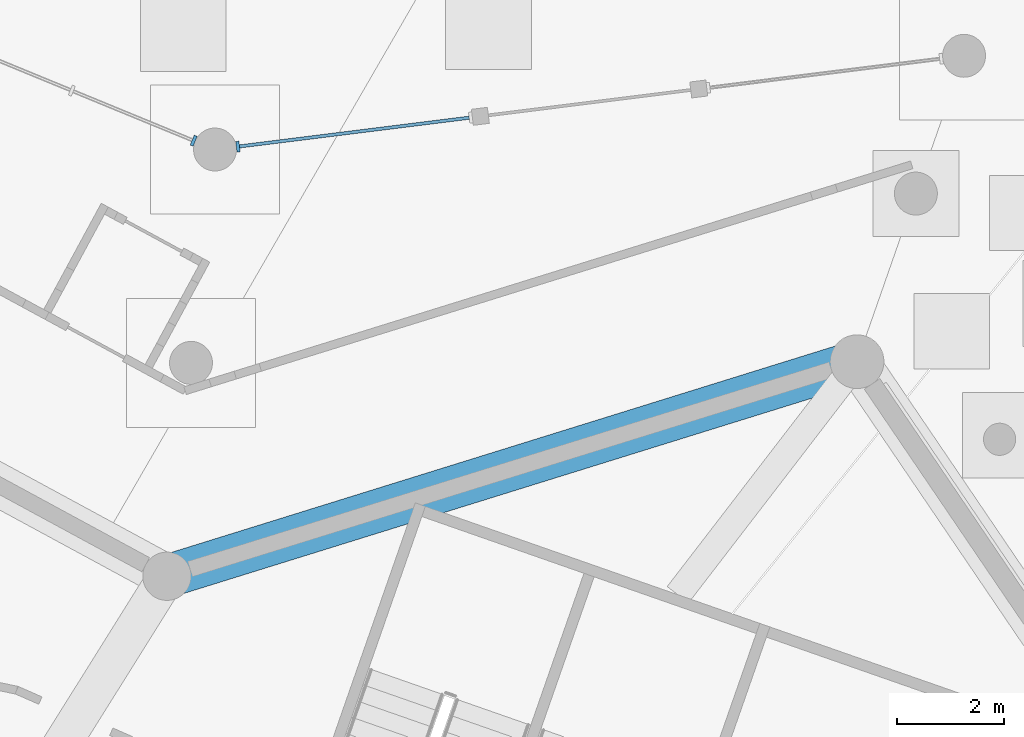
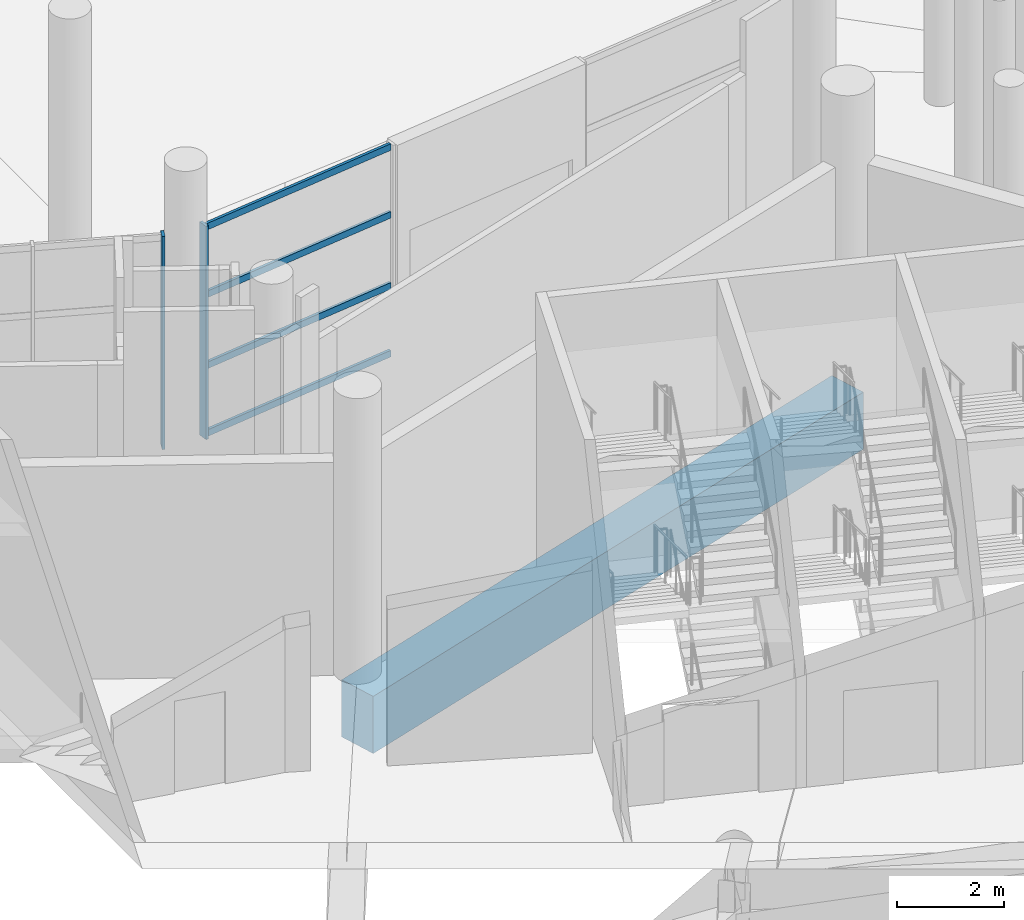
# One storey, part 62 of 255: 6 members, 1 beam, 2 elements without a shape of their own.
"""IFC4 building model written with IfcOpenShell, lengths in metres."""

from ifc_helpers import new_model, si_unit, direction, frame, origin, origin_2d, place, context, subcontext, project, spatial, rectangle, extrude, material, layer, layer_set, material_profile, profile_set, type_object, element, aggregate, save


model = new_model("IFC4")

# Units and contexts
model_context = context("Model", 3, precision=1e-05, world=origin(), true_north=direction((0.0, 1.0)))
body_context = subcontext(model_context, "Body", "Model", "MODEL_VIEW")
ifc_project = project(units=[si_unit("LENGTHUNIT", "METRE"), si_unit("AREAUNIT", "SQUARE_METRE"), si_unit("VOLUMEUNIT", "CUBIC_METRE"), si_unit("PLANEANGLEUNIT", "RADIAN"), si_unit("MASSUNIT", "GRAM", prefix="KILO")], contexts=[model_context])

# Site, building, storey
site_placement = place(None, origin())
site = spatial("IfcSite", under=ifc_project, at=site_placement, CompositionType="ELEMENT")
building_placement = place(site_placement, origin())
building = spatial("IfcBuilding", under=site, at=building_placement, Name="Meseta Stadium", CompositionType="ELEMENT")
storey_placement = place(building_placement, origin())
storey = spatial("IfcBuildingStorey", under=building, at=storey_placement, Name="L00", CompositionType="ELEMENT", Elevation=0.0)

# Beam
ifc_material_1 = material(Name="Concrete C40/50", Category="concrete")
ifc_material_profile_1 = material_profile(ifc_material_1, rectangle(XDim=0.800048828125, YDim=1.300048828125, at=origin_2d()), Name="RC 800x1300")
ifc_profile_set_1 = profile_set([ifc_material_profile_1], Name="Concrete C40/50")
beam_type = type_object("IfcBeamType", Name="RC beam 800x1300", PredefinedType="BEAM", material=ifc_profile_set_1)
beam_placement = place(storey_placement, frame((64.297607421875, 102.291015625, -1.050048828125), z_axis=(-0.954922594045, -0.296854913016, 0.0), x_axis=(0.296854913016, -0.954922594045, 0.0)))
element("IfcBeam", 1, at=beam_placement, inside=storey, type_object=beam_type, Name="L00 ring beam frame 14 line R", PredefinedType="BEAM", context=body_context, shape_type="SweptSolid", body=[
    extrude(rectangle(XDim=0.800048828125, YDim=1.300048828125, at=origin_2d()), origin(), (0.0, 0.0, 1.0), 13.463134765625),
])

# Curtain wall, member
ifc_material_2 = material(Name="Aluminium", Category="aluminium")
ifc_layer = layer(ifc_material_2, 0.199951171875)
ifc_layer_set = layer_set([ifc_layer], Name="Ring shopfront curtain wall")
curtain_wall_type = type_object("IfcCurtainWallType", Name="Ring shopfront curtain wall", PredefinedType="NOTDEFINED", material=ifc_layer_set)
curtain_wall_1_placement = place(storey_placement, origin())
curtain_wall_1 = element("IfcCurtainWall", 2, at=curtain_wall_1_placement, inside=storey, type_object=curtain_wall_type, Name="Shopfront glazing F14b", PredefinedType="NOTDEFINED")
ifc_material_3 = material(Name="Aluminium", Category="aluminium")
ifc_material_profile_2 = material_profile(ifc_material_3, rectangle(XDim=0.199951171875, YDim=0.06005859375, at=origin_2d()), Name="CW 200x60")
ifc_profile_set_2 = profile_set([ifc_material_profile_2], Name="Aluminium")
member_type_1 = type_object("IfcMemberType", Name="Ring CW mullion 60x200", PredefinedType="MULLION", material=ifc_profile_set_2)
member_1_placement = place(storey_placement, frame((52.763916015625, 106.297607421875, 0.0), z_axis=(0.0, 0.0, 1.0), x_axis=(0.124131938531, -0.992265721385, 0.0)))
member_1 = element("IfcMember", 3, at=member_1_placement, type_object=member_type_1, Name="CWR1 mullion 2", PredefinedType="MULLION", context=body_context, shape_type="SweptSolid", body=[
    extrude(rectangle(XDim=0.199951171875, YDim=0.06005859375, at=origin_2d()), origin(), (0.0, 0.0, 1.0), 4.85009765625),
])

curtain_wall_2_placement = place(storey_placement, origin())
curtain_wall_2 = element("IfcCurtainWall", 4, at=curtain_wall_2_placement, inside=storey, type_object=curtain_wall_type, Name="Shopfront glazing F15a", PredefinedType="NOTDEFINED")
member_2_placement = place(storey_placement, frame((51.939453125, 106.40771484375, 0.0), z_axis=(0.0, 0.0, 1.0), x_axis=(-0.380160781831, -0.924920418175, 0.0)))
member_2 = element("IfcMember", 5, at=member_2_placement, type_object=member_type_1, Name="CWR1 mullion 1", PredefinedType="MULLION", context=body_context, shape_type="SweptSolid", body=[
    extrude(rectangle(XDim=0.199951171875, YDim=0.06005859375, at=origin_2d()), origin(), (0.0, 0.0, 1.0), 4.85009765625),
])
aggregate(curtain_wall_2, [member_2])

# Member
ifc_material_4 = material(Name="Aluminium", Category="aluminium")
ifc_material_profile_3 = material_profile(ifc_material_4, rectangle(XDim=0.06005859375, YDim=0.14990234375, at=origin_2d()), Name="CW 60x150")
ifc_profile_set_3 = profile_set([ifc_material_profile_3], Name="Aluminium")
member_type_2 = type_object("IfcMemberType", Name="Ring CW transom 60x150", PredefinedType="USERDEFINED", material=ifc_profile_set_3)
member_3_placement = place(storey_placement, frame((57.07177734375, 106.83642578125, 0.074951171875), z_axis=(-0.992266547273, -0.124125336508, 0.0), x_axis=(0.124125336508, -0.992266547273, 0.0)))
member_3 = element("IfcMember", 6, at=member_3_placement, type_object=member_type_2, Name="CWR1 transom 1.1", ObjectType="TRANSOM", PredefinedType="USERDEFINED", context=body_context, shape_type="SweptSolid", body=[
    extrude(rectangle(XDim=0.06005859375, YDim=0.14990234375, at=origin_2d()), origin(), (0.0, 0.0, 1.0), 4.3115234375),
])

member_4_placement = place(storey_placement, frame((57.07177734375, 106.83642578125, 1.61669921875), z_axis=(-0.992266547273, -0.124125336508, 0.0), x_axis=(0.124125336508, -0.992266547273, 0.0)))
member_4 = element("IfcMember", 7, at=member_4_placement, type_object=member_type_2, Name="CWR1 transom 1.2", ObjectType="TRANSOM", PredefinedType="USERDEFINED", context=body_context, shape_type="SweptSolid", body=[
    extrude(rectangle(XDim=0.06005859375, YDim=0.14990234375, at=origin_2d()), origin(), (0.0, 0.0, 1.0), 4.3115234375),
])

member_5_placement = place(storey_placement, frame((57.07177734375, 106.83642578125, 3.2333984375), z_axis=(-0.992266547273, -0.124125336508, 0.0), x_axis=(0.124125336508, -0.992266547273, 0.0)))
member_5 = element("IfcMember", 8, at=member_5_placement, type_object=member_type_2, Name="CWR1 transom 1.3", ObjectType="TRANSOM", PredefinedType="USERDEFINED", context=body_context, shape_type="SweptSolid", body=[
    extrude(rectangle(XDim=0.06005859375, YDim=0.14990234375, at=origin_2d()), origin(), (0.0, 0.0, 1.0), 4.3115234375),
])

member_6_placement = place(storey_placement, frame((57.07177734375, 106.83642578125, 4.77490234375), z_axis=(-0.992266547273, -0.124125336508, 0.0), x_axis=(0.124125336508, -0.992266547273, 0.0)))
member_6 = element("IfcMember", 9, at=member_6_placement, type_object=member_type_2, Name="CWR1 transom 1.4", ObjectType="TRANSOM", PredefinedType="USERDEFINED", context=body_context, shape_type="SweptSolid", body=[
    extrude(rectangle(XDim=0.06005859375, YDim=0.14990234375, at=origin_2d()), origin(), (0.0, 0.0, 1.0), 4.3115234375),
])

aggregate(curtain_wall_1, [member_1, member_3, member_4, member_5, member_6])

save(model, "model.ifc")
